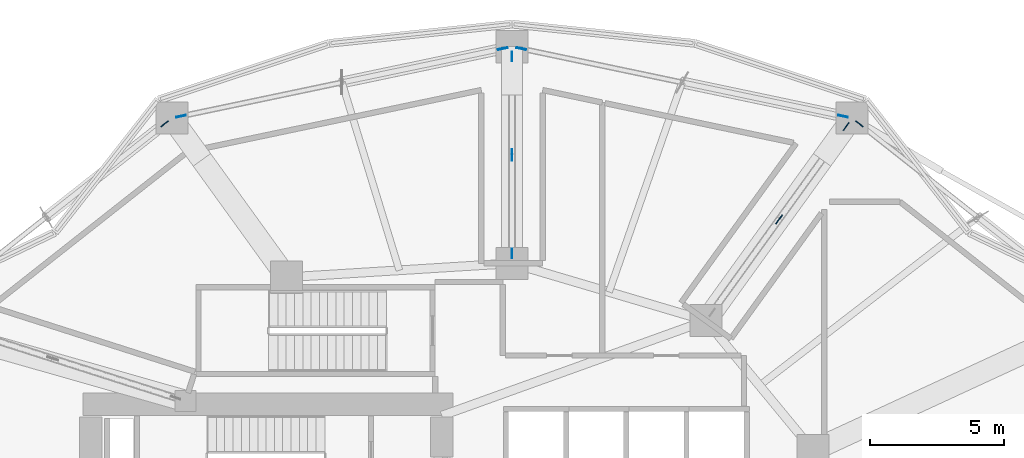
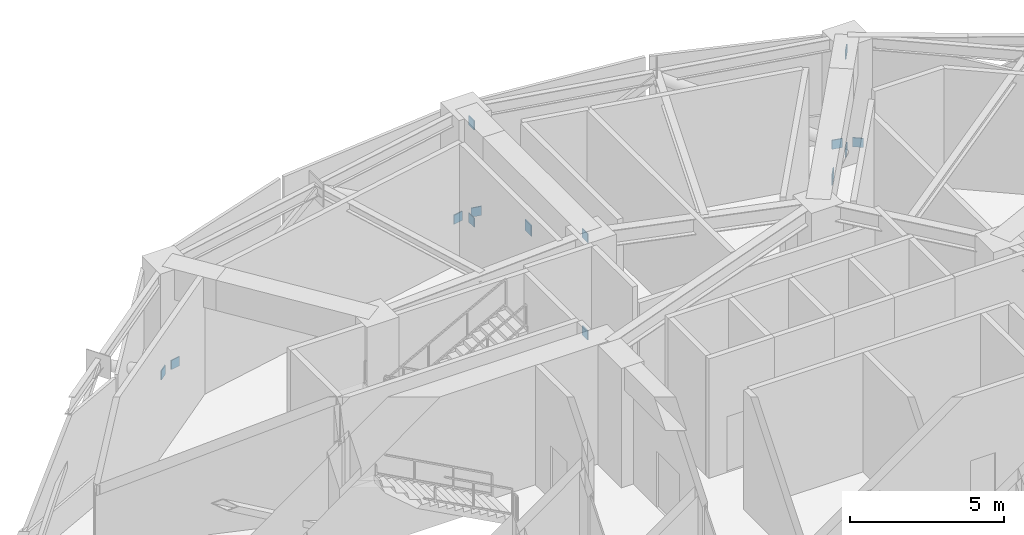
# One storey, part 6 of 12: 14 plates.
"""IFC4 building model written with IfcOpenShell, lengths in metres."""

from ifc_helpers import new_model, si_unit, direction, frame, origin, origin_2d, place, context, subcontext, project, spatial, rectangle, extrude, material, layer, layer_set, type_object, element, save


model = new_model("IFC4")

# Units and contexts
model_context = context("Model", 3, precision=1e-05, world=origin(), true_north=direction((0.0, 1.0)))
body_context = subcontext(model_context, "Body", "Model", "MODEL_VIEW")
ifc_project = project(units=[si_unit("LENGTHUNIT", "METRE"), si_unit("AREAUNIT", "SQUARE_METRE"), si_unit("VOLUMEUNIT", "CUBIC_METRE"), si_unit("PLANEANGLEUNIT", "RADIAN"), si_unit("MASSUNIT", "GRAM", prefix="KILO")], contexts=[model_context])

# Site, building, storey
site_placement = place(None, origin())
site = spatial("IfcSite", under=ifc_project, at=site_placement, CompositionType="ELEMENT")
building_placement = place(site_placement, origin())
building = spatial("IfcBuilding", under=site, at=building_placement, Name="Kolvaren Gate Tower and Convention Centre", CompositionType="ELEMENT")
storey_placement = place(building_placement, frame((0.0, 0.0, 95.800048828125)))
storey = spatial("IfcBuildingStorey", under=building, at=storey_placement, Name="L23", CompositionType="ELEMENT", Elevation=95.800048828125)

# Plates
ifc_material = material(Name="Structural steel plate ASTM A572 Grade 345 MPa", Category="steel")
ifc_layer_1 = layer(ifc_material, 0.035888671875)
ifc_layer_set_1 = layer_set([ifc_layer_1], Name="Structural steel plate ASTM A572 Grade 345 MPa")
plate_type_1 = type_object("IfcPlateType", Name="STR-PL-END-36", PredefinedType="USERDEFINED", material=ifc_layer_set_1)
for number, where, z_axis, x_axis, name in (
    (1, (43.11572265625, 44.414794921875, 0.3125), (0.0, 0.0, 1.0), (0.78546494005, -0.618906154398, 0.0), "Structural Brace End Connection Gusset Plate EGP-212"),
    (2, (42.501953125, 44.699462890625, 0.29931640625), (0.0, 0.0, 1.0), (-0.978633330067, 0.205613241991, 0.0), "Structural Brace End Connection Gusset Plate EGP-213"),
    (3, (30.469482421875, 47.2275390625, 0.29931640625), (0.0, 0.0, 1.0), (0.978630100181, -0.205628614302, 0.0), "Structural Brace End Connection Gusset Plate EGP-214"),
    (4, (29.780517578125, 47.2275390625, 0.29931640625), (0.0, 0.0, 1.0), (-0.978629382396, -0.205632030364, 0.0), "Structural Brace End Connection Gusset Plate EGP-215"),
    (5, (17.748046875, 44.699462890625, 0.29931640625), (0.0, 0.0, 1.0), (0.978633330067, 0.205613241991, 0.0), "Structural Brace End Connection Gusset Plate EGP-216"),
    (6, (17.134521484375, 44.414794921875, 0.3125), (0.0, 0.0, 1.0), (-0.78546494005, -0.618906154398, 0.0), "Structural Brace End Connection Gusset Plate EGP-217"),
    (7, (42.62255859375, 44.31689453125, 4.1318359375), (0.0, 0.0, 1.0), (0.585220940814, 0.81087388072, 0.0), "Structural Brace End Connection Gusset Plate EGP-244"),
    (8, (42.62255859375, 44.31689453125, 0.2431640625), (0.0, 0.0, 1.0), (-0.585208203564, -0.810883073249, 0.0), "Structural Brace End Connection Gusset Plate EGP-245"),
    (9, (30.125, 39.572265625, 0.2646484375), (0.0, 0.0, 1.0), (0.0, 1.0, 0.0), "Structural Brace End Connection Gusset Plate EGP-247"),
    (10, (30.125, 46.927734375, 4.11083984375), (0.0, 0.0, 1.0), (0.0, 1.0, 0.0), "Structural Brace End Connection Gusset Plate EGP-248"),
    (11, (30.125, 46.927734375, 0.2646484375), (0.0, 0.0, 1.0), (0.0, -1.0, 0.0), "Structural Brace End Connection Gusset Plate EGP-249"),
    (12, (30.125, 39.572265625, 4.11083984375), (0.0, 0.0, 1.0), (0.0, -1.0, 0.0), "Structural Brace End Connection Gusset Plate EGP-250"),
):
    element("IfcPlate", number, at=place(storey_placement, frame(where, z_axis=z_axis, x_axis=x_axis)), inside=storey, type_object=plate_type_1, Name=name, ObjectType="GUSSET PLATE", PredefinedType="USERDEFINED", context=body_context, shape_type="SweptSolid", body=[
        extrude(rectangle(XDim=0.360107421875, YDim=0.035888671875, at=origin_2d()), origin(), (0.0, 0.0, 1.0), 0.360107421875),
    ])
ifc_layer_2 = layer(ifc_material, 0.035888671875)
ifc_layer_set_2 = layer_set([ifc_layer_2], Name="Structural steel plate ASTM A572 Grade 345 MPa")
plate_type_2 = type_object("IfcPlateType", Name="STR-PL-GUSSET-36", PredefinedType="USERDEFINED", material=ifc_layer_set_2)
for number, where, z_axis, x_axis, name in (
    (13, (40.114013671875, 40.841064453125, 2.15771484375), (0.0, 0.0, 1.0), (0.585220940814, 0.81087388072, 0.0), "Outrigger Crossing Gusset Plate GP-OUT-L23-04X"),
    (14, (30.125, 43.25, 2.15771484375), (0.0, 0.0, 1.0), (0.0, 1.0, 0.0), "Outrigger Crossing Gusset Plate GP-OUT-L23-05X"),
):
    element("IfcPlate", number, at=place(storey_placement, frame(where, z_axis=z_axis, x_axis=x_axis)), inside=storey, type_object=plate_type_2, Name=name, ObjectType="GUSSET PLATE", PredefinedType="USERDEFINED", context=body_context, shape_type="SweptSolid", body=[
        extrude(rectangle(XDim=0.419921875, YDim=0.035888671875, at=origin_2d()), origin(), (0.0, 0.0, 1.0), 0.419921875),
    ])

save(model, "model.ifc")
